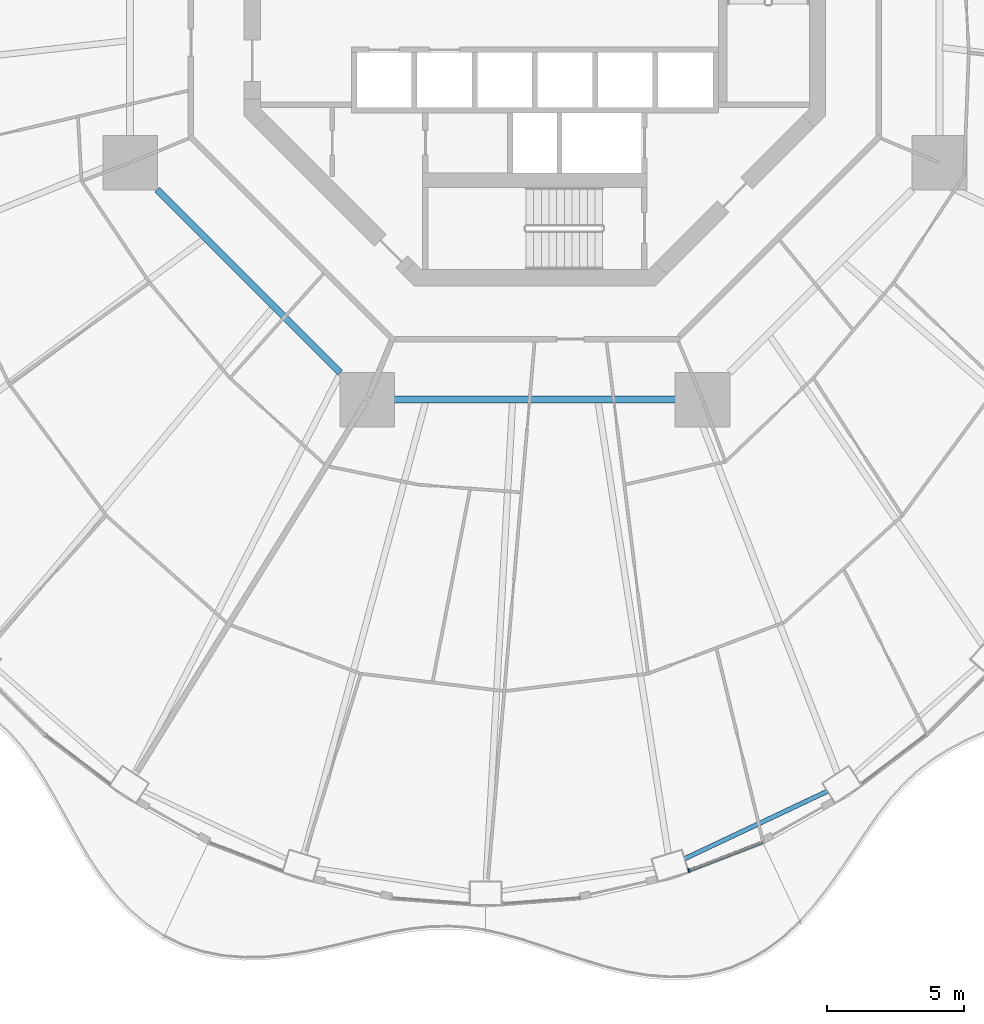
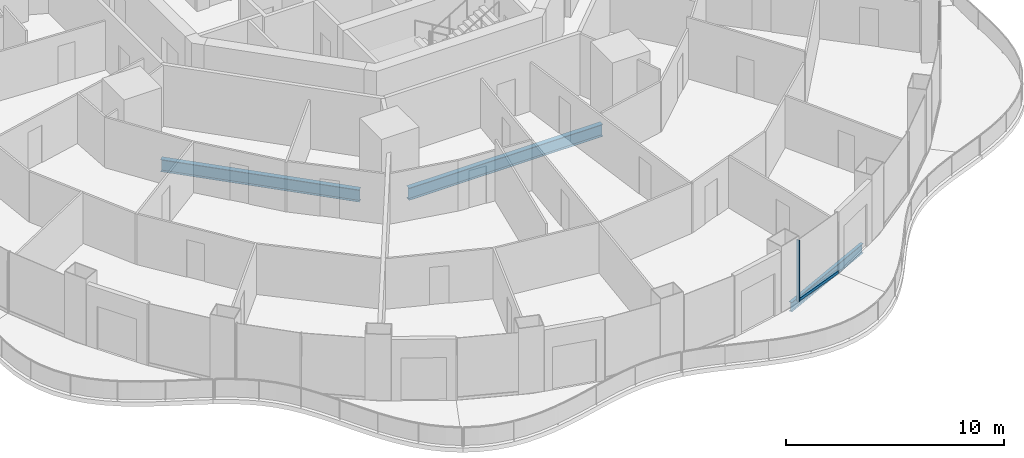
# One storey, part 4 of 19: 3 beams, 2 members, 1 element without a shape of its own.
"""IFC4 building model written with IfcOpenShell, lengths in metres."""

from ifc_helpers import new_model, si_unit, direction, frame, origin, origin_2d, place, context, subcontext, project, spatial, rectangle, i_section, extrude, material, layer, layer_set, material_profile, profile_set, type_object, element, aggregate, save


model = new_model("IFC4")

# Units and contexts
model_context = context("Model", 3, precision=1e-05, world=origin(), true_north=direction((0.0, 1.0)))
body_context = subcontext(model_context, "Body", "Model", "MODEL_VIEW")
ifc_project = project(units=[si_unit("LENGTHUNIT", "METRE"), si_unit("AREAUNIT", "SQUARE_METRE"), si_unit("VOLUMEUNIT", "CUBIC_METRE"), si_unit("PLANEANGLEUNIT", "RADIAN"), si_unit("MASSUNIT", "GRAM", prefix="KILO")], contexts=[model_context])

# Site, building, storey
site_placement = place(None, origin())
site = spatial("IfcSite", under=ifc_project, at=site_placement, CompositionType="ELEMENT")
building_placement = place(site_placement, origin())
building = spatial("IfcBuilding", under=site, at=building_placement, Name="Nagisa Residences", CompositionType="ELEMENT")
storey_placement = place(building_placement, frame((0.0, 0.0, 149.199951171875)))
storey = spatial("IfcBuildingStorey", under=building, at=storey_placement, Name="L37", CompositionType="ELEMENT", Elevation=149.199951171875)

# Curtain wall, members
ifc_material_1 = material(Name="Concrete-coloured aluminium curtain wall system", Category="concrete")
ifc_layer = layer(ifc_material_1, 0.159912109375)
ifc_layer_set = layer_set([ifc_layer], Name="CW1 CURTAIN WALL")
curtain_wall_type = type_object("IfcCurtainWallType", Name="CW1 CURTAIN WALL", PredefinedType="NOTDEFINED", material=ifc_layer_set)
curtain_wall_placement = place(storey_placement, origin())
curtain_wall = element("IfcCurtainWall", 1, at=curtain_wall_placement, inside=storey, type_object=curtain_wall_type, Name="cw:CW1:L37:38", PredefinedType="NOTDEFINED")
ifc_material_2 = material(Name="Concrete-coloured aluminium", Category="concrete")
ifc_material_profile_1 = material_profile(ifc_material_2, rectangle(XDim=0.159912109375, YDim=0.06005859375, at=origin_2d()), Name="CW1 MULLION 160x60")
ifc_profile_set_1 = profile_set([ifc_material_profile_1], Name="Concrete-coloured aluminium")
member_type_1 = type_object("IfcMemberType", Name="CW1 MULLION 160x60", PredefinedType="MULLION", material=ifc_profile_set_1)
member_1_placement = place(storey_placement, frame((5.626708984375, -31.982177734375, 0.0), z_axis=(0.0, 0.0, 1.0), x_axis=(-0.360327770268, 0.932825759707, 0.0)))
member_1 = element("IfcMember", 2, at=member_1_placement, type_object=member_type_1, Name="CW1 mullion", PredefinedType="MULLION", context=body_context, shape_type="SweptSolid", body=[
    extrude(rectangle(XDim=0.159912109375, YDim=0.06005859375, at=origin_2d()), origin(), (0.0, 0.0, 1.0), 3.43994140625),
])
ifc_material_3 = material(Name="Concrete-coloured aluminium", Category="concrete")
ifc_material_profile_2 = material_profile(ifc_material_3, rectangle(XDim=0.1201171875, YDim=0.14990234375, at=origin_2d()), Name="CW1 TRANSOM 120x150")
ifc_profile_set_2 = profile_set([ifc_material_profile_2], Name="Concrete-coloured aluminium")
member_type_2 = type_object("IfcMemberType", Name="CW1 TRANSOM 120x150", PredefinedType="USERDEFINED", material=ifc_profile_set_2)
member_2_placement = place(storey_placement, frame((5.5986328125, -31.992919921875, 0.074951171875), z_axis=(0.932845344347, 0.360277064952, 0.0), x_axis=(-0.360277064952, 0.932845344347, 0.0)))
member_2 = element("IfcMember", 3, at=member_2_placement, type_object=member_type_2, Name="CW1 transom", ObjectType="TRANSOM", PredefinedType="USERDEFINED", context=body_context, shape_type="SweptSolid", body=[
    extrude(rectangle(XDim=0.1201171875, YDim=0.14990234375, at=origin_2d()), origin(), (0.0, 0.0, 1.0), 2.92333984375),
])
aggregate(curtain_wall, [member_1, member_2])

# Beams
ifc_material_4 = material(Name="Steel ASTM A572 Gr 50", Category="steel")
ifc_material_profile_3 = material_profile(ifc_material_4, i_section(OverallWidth=0.25390625, OverallDepth=0.68408203125, WebThickness=0.012451171875, FlangeThickness=0.018798828125, at=origin_2d()), Name="W690x140")
ifc_profile_set_3 = profile_set([ifc_material_profile_3], Name="Steel ASTM A572 Gr 50")
beam_type_1 = type_object("IfcBeamType", Name="Inner ring beam W690x140", PredefinedType="BEAM", material=ifc_profile_set_3)
beam_1_placement = place(storey_placement, frame((-13.796142578125, -7.10888671875, -0.60205078125), z_axis=(0.707106781187, -0.707106781187, 0.0), x_axis=(0.707106781187, 0.707106781187, 0.0)))
element("IfcBeam", 4, at=beam_1_placement, inside=storey, type_object=beam_type_1, Name="beam:L37:ib5", PredefinedType="BEAM", context=body_context, shape_type="SweptSolid", body=[
    extrude(i_section(OverallWidth=0.25390625, OverallDepth=0.68408203125, WebThickness=0.012451171875, FlangeThickness=0.018798828125, at=origin_2d()), origin(), (0.0, 0.0, 1.0), 9.457275390625),
])
beam_2_placement = place(storey_placement, frame((-5.142822265625, -14.781982421875, -0.60205078125), z_axis=(1.0, 0.0, 0.0), x_axis=(0.0, 1.0, 0.0)))
element("IfcBeam", 5, at=beam_2_placement, inside=storey, type_object=beam_type_1, Name="beam:L37:ib6", PredefinedType="BEAM", context=body_context, shape_type="SweptSolid", body=[
    extrude(i_section(OverallWidth=0.25390625, OverallDepth=0.68408203125, WebThickness=0.012451171875, FlangeThickness=0.018798828125, at=origin_2d()), origin(), (0.0, 0.0, 1.0), 10.28564453125),
])
ifc_material_5 = material(Name="Steel ASTM A572 Gr 50", Category="steel")
ifc_material_profile_4 = material_profile(ifc_material_5, i_section(OverallWidth=0.166015625, OverallDepth=0.534912109375, WebThickness=0.01025390625, FlangeThickness=0.0166015625, at=origin_2d()), Name="W530x85")
ifc_profile_set_4 = profile_set([ifc_material_profile_4], Name="Steel ASTM A572 Gr 50")
beam_type_2 = type_object("IfcBeamType", Name="Perimeter ring beam W530x85", PredefinedType="BEAM", material=ifc_profile_set_4)
beam_3_placement = place(storey_placement, frame((5.468505859375, -31.55029296875, -0.52734375), z_axis=(0.904186034847, 0.427138870143, 0.0), x_axis=(-0.427138870143, 0.904186034847, 0.0)))
element("IfcBeam", 6, at=beam_3_placement, inside=storey, type_object=beam_type_2, Name="beam:L37:pb20", PredefinedType="BEAM", context=body_context, shape_type="SweptSolid", body=[
    extrude(i_section(OverallWidth=0.166015625, OverallDepth=0.534912109375, WebThickness=0.01025390625, FlangeThickness=0.0166015625, at=origin_2d()), origin(), (0.0, 0.0, 1.0), 5.772216796875),
])

save(model, "model.ifc")
